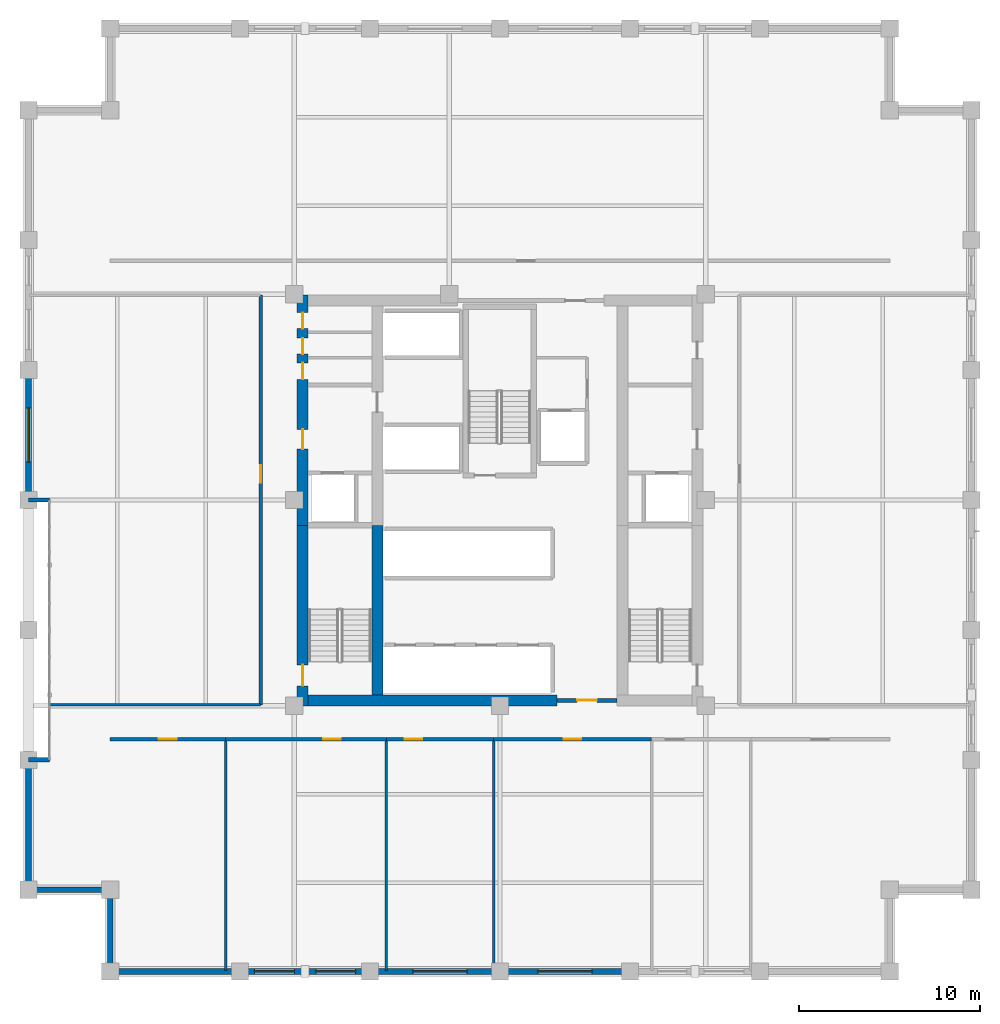
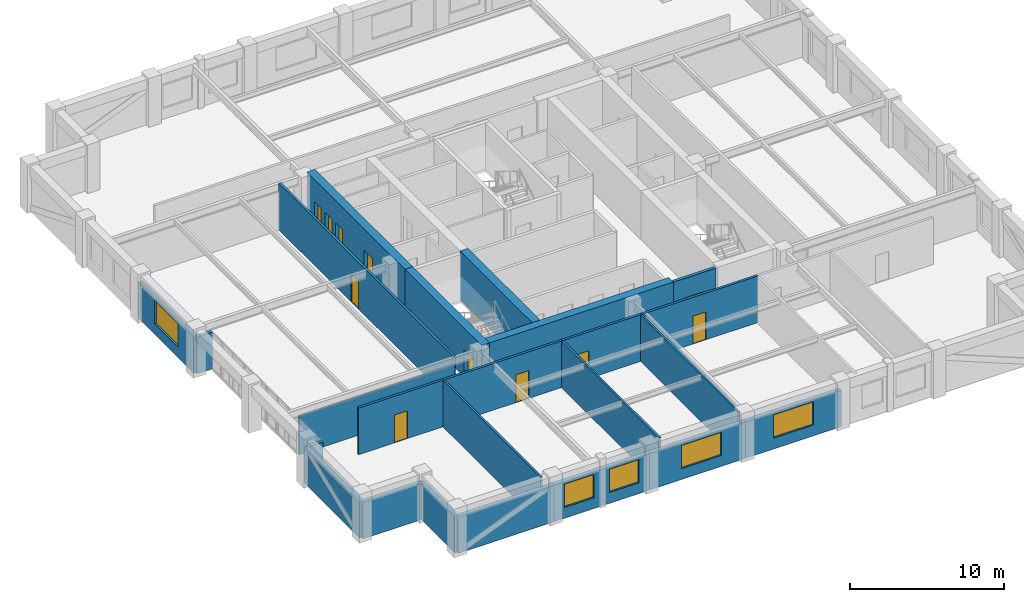
# One storey, part 7 of 12: 24 walls, 11 doors, 5 windows, 16 openings.
"""IFC4 building model written with IfcOpenShell, lengths in metres."""

from ifc_helpers import new_model, si_unit, direction, frame, frame_2d, origin, place, context, subcontext, project, spatial, rectangle, extrude, material, layer, layer_set, type_object, element, fill, save


model = new_model("IFC4")

# Units and contexts
model_context = context("Model", 3, precision=1e-05, world=origin(), true_north=direction((0.0, 1.0)))
body_context = subcontext(model_context, "Body", "Model", "MODEL_VIEW")
ifc_project = project(units=[si_unit("LENGTHUNIT", "METRE"), si_unit("AREAUNIT", "SQUARE_METRE"), si_unit("VOLUMEUNIT", "CUBIC_METRE"), si_unit("PLANEANGLEUNIT", "RADIAN"), si_unit("MASSUNIT", "GRAM", prefix="KILO")], contexts=[model_context])

# Site, building, storey
site_placement = place(None, origin())
site = spatial("IfcSite", under=ifc_project, at=site_placement, CompositionType="ELEMENT")
building_placement = place(site_placement, origin())
building = spatial("IfcBuilding", under=site, at=building_placement, Name="Nhamokura Convention Tower", CompositionType="ELEMENT")
storey_placement = place(building_placement, frame((0.0, 0.0, 164.5)))
storey = spatial("IfcBuildingStorey", under=building, at=storey_placement, Name="L40", CompositionType="ELEMENT", Elevation=164.5)

# Wall
ifc_material_1 = material(Name="Bronze-pigmented precast concrete C45/55", Category="concrete")
ifc_layer_1 = layer(ifc_material_1, 0.320068359375)
ifc_layer_set_1 = layer_set([ifc_layer_1], Name="BronzePrecastSpandrel_320")
wall_type_1 = type_object("IfcWallType", Name="BronzePrecastSpandrel_320", PredefinedType="USERDEFINED", material=ifc_layer_set_1)
wall_1_placement = place(storey_placement, frame((17.666748046875, 6.0, 0.0), z_axis=(0.0, 0.0, 1.0), x_axis=(-1.0, 0.0, 0.0)))
element("IfcWall", 1, at=wall_1_placement, inside=storey, type_object=wall_type_1, Name="L40 Braced-Bay Precast Wall SOUTH 0", ObjectType="SPANDREL_WALL", PredefinedType="USERDEFINED", context=body_context, shape_type="SweptSolid", body=[
    extrude(rectangle(XDim=7.166748046875, YDim=0.320068359375, at=frame_2d((3.58349609375, 0.0))), origin(), (0.0, 0.0, 1.0), 2.885009765625),
])

# Wall, openings, windows
wall_2_placement = place(storey_placement, frame((24.833251953125, 6.0, 0.0), z_axis=(0.0, 0.0, 1.0), x_axis=(-1.0, 0.0, 0.0)))
wall_2 = element("IfcWall", 2, at=wall_2_placement, inside=storey, type_object=wall_type_1, Name="L40 Masonry-Frame Wall SOUTH 1", ObjectType="SPANDREL_WALL", PredefinedType="USERDEFINED", context=body_context, shape_type="SweptSolid", body=[
    extrude(rectangle(XDim=7.16650390625, YDim=0.320068359375, at=frame_2d((3.583251953125, 0.0))), origin(), (0.0, 0.0, 1.0), 2.885009765625),
])
opening_1_placement = place(wall_2_placement, frame((0.791748046875, 0.0, 0.85009765625)))
opening_1 = element("IfcOpeningElement", 3, at=opening_1_placement, cuts=wall_2, Name="Opening W-06", PredefinedType="OPENING", context=body_context, shape_type="SweptSolid", body=[
    extrude(rectangle(XDim=2.199951171875, YDim=1.8349609375, at=frame_2d((1.10009765625, 0.91748046875))), frame((0.0, 0.169921875, 0.0), z_axis=(0.0, -1.0, 0.0), x_axis=(1.0, 0.0, 0.0)), (0.0, 0.0, 1.0), 0.340087890625),
])
opening_2_placement = place(wall_2_placement, frame((4.175048828125, 0.0, 0.85009765625)))
opening_2 = element("IfcOpeningElement", 4, at=opening_2_placement, cuts=wall_2, Name="Opening W-06", PredefinedType="OPENING", context=body_context, shape_type="SweptSolid", body=[
    extrude(rectangle(XDim=2.199951171875, YDim=1.8349609375, at=frame_2d((1.10009765625, 0.91748046875))), frame((0.0, 0.169921875, 0.0), z_axis=(0.0, -1.0, 0.0), x_axis=(1.0, 0.0, 0.0)), (0.0, 0.0, 1.0), 0.340087890625),
])
ifc_material_2 = material(Name="Solar-control bronze low-E double glass", Category="glass")
window_type_1 = type_object("IfcWindowType", Name="OfficeModuleWindow_Z2_2200", PartitioningType="SINGLE_PANEL", PredefinedType="WINDOW", material=ifc_material_2)
window_1_placement = place(opening_1_placement, origin())
window_1 = element("IfcWindow", 5, at=window_1_placement, inside=storey, type_object=window_type_1, Name="L40 Facade Window SOUTH 1-1", OverallHeight=1.8349609375, OverallWidth=2.199951171875, PartitioningType="SINGLE_PANEL", PredefinedType="WINDOW", context=body_context, shape_type="SweptSolid", body=[
    extrude(rectangle(XDim=2.199951171875, YDim=1.8349609375, at=frame_2d((1.10009765625, 0.91748046875))), frame((0.0, 0.030029296875, 0.0), z_axis=(0.0, -1.0, 0.0), x_axis=(1.0, 0.0, 0.0)), (0.0, 0.0, 1.0), 0.06005859375),
])
fill(opening_1, window_1)
window_2_placement = place(opening_2_placement, origin())
window_2 = element("IfcWindow", 6, at=window_2_placement, inside=storey, type_object=window_type_1, Name="L40 Facade Window SOUTH 1-2", OverallHeight=1.8349609375, OverallWidth=2.199951171875, PartitioningType="SINGLE_PANEL", PredefinedType="WINDOW", context=body_context, shape_type="SweptSolid", body=[
    extrude(rectangle(XDim=2.199951171875, YDim=1.8349609375, at=frame_2d((1.10009765625, 0.91748046875))), frame((0.0, 0.030029296875, 0.0), z_axis=(0.0, -1.0, 0.0), x_axis=(1.0, 0.0, 0.0)), (0.0, 0.0, 1.0), 0.06005859375),
])
fill(opening_2, window_2)

# Wall, opening, window
wall_3_placement = place(storey_placement, frame((32.0, 6.0, 0.0), z_axis=(0.0, 0.0, 1.0), x_axis=(-1.0, 0.0, 0.0)))
wall_3 = element("IfcWall", 7, at=wall_3_placement, inside=storey, type_object=wall_type_1, Name="L40 Masonry-Frame Wall SOUTH 2", ObjectType="SPANDREL_WALL", PredefinedType="USERDEFINED", context=body_context, shape_type="SweptSolid", body=[
    extrude(rectangle(XDim=7.166748046875, YDim=0.320068359375, at=frame_2d((3.58349609375, 0.0))), origin(), (0.0, 0.0, 1.0), 2.885009765625),
])
opening_3_placement = place(wall_3_placement, frame((1.808349609375, 0.0, 0.85009765625)))
opening_3 = element("IfcOpeningElement", 8, at=opening_3_placement, cuts=wall_3, Name="Opening W-05", PredefinedType="OPENING", context=body_context, shape_type="SweptSolid", body=[
    extrude(rectangle(XDim=3.0, YDim=1.8349609375, at=frame_2d((1.5, 0.91748046875))), frame((0.0, 0.169921875, 0.0), z_axis=(0.0, -1.0, 0.0), x_axis=(1.0, 0.0, 0.0)), (0.0, 0.0, 1.0), 0.340087890625),
])
ifc_material_3 = material(Name="Solar-control bronze low-E double glass", Category="glass")
window_type_2 = type_object("IfcWindowType", Name="OfficeModuleWindow_Z2_3000", PartitioningType="DOUBLE_PANEL_VERTICAL", PredefinedType="WINDOW", material=ifc_material_3)
window_3_placement = place(opening_3_placement, origin())
window_3 = element("IfcWindow", 9, at=window_3_placement, inside=storey, type_object=window_type_2, Name="L40 Facade Window SOUTH 2", OverallHeight=1.8349609375, OverallWidth=3.0, PartitioningType="SINGLE_PANEL", PredefinedType="WINDOW", context=body_context, shape_type="SweptSolid", body=[
    extrude(rectangle(XDim=3.0, YDim=1.8349609375, at=frame_2d((1.5, 0.91748046875))), frame((0.0, 0.030029296875, 0.0), z_axis=(0.0, -1.0, 0.0), x_axis=(1.0, 0.0, 0.0)), (0.0, 0.0, 1.0), 0.06005859375),
])
fill(opening_3, window_3)

wall_4_placement = place(storey_placement, frame((39.166748046875, 6.0, 0.0), z_axis=(0.0, 0.0, 1.0), x_axis=(-1.0, 0.0, 0.0)))
wall_4 = element("IfcWall", 10, at=wall_4_placement, inside=storey, type_object=wall_type_1, Name="L40 Masonry-Frame Wall SOUTH 3", ObjectType="SPANDREL_WALL", PredefinedType="USERDEFINED", context=body_context, shape_type="SweptSolid", body=[
    extrude(rectangle(XDim=7.166748046875, YDim=0.320068359375, at=frame_2d((3.58349609375, 0.0))), origin(), (0.0, 0.0, 1.0), 2.885009765625),
])
opening_4_placement = place(wall_4_placement, frame((2.083251953125, 0.0, 0.85009765625)))
opening_4 = element("IfcOpeningElement", 11, at=opening_4_placement, cuts=wall_4, Name="Opening W-05", PredefinedType="OPENING", context=body_context, shape_type="SweptSolid", body=[
    extrude(rectangle(XDim=3.0, YDim=1.8349609375, at=frame_2d((1.5, 0.91748046875))), frame((0.0, 0.169921875, 0.0), z_axis=(0.0, -1.0, 0.0), x_axis=(1.0, 0.0, 0.0)), (0.0, 0.0, 1.0), 0.340087890625),
])
window_4_placement = place(opening_4_placement, origin())
window_4 = element("IfcWindow", 12, at=window_4_placement, inside=storey, type_object=window_type_2, Name="L40 Facade Window SOUTH 3", OverallHeight=1.8349609375, OverallWidth=3.0, PartitioningType="SINGLE_PANEL", PredefinedType="WINDOW", context=body_context, shape_type="SweptSolid", body=[
    extrude(rectangle(XDim=3.0, YDim=1.8349609375, at=frame_2d((1.5, 0.91748046875))), frame((0.0, 0.030029296875, 0.0), z_axis=(0.0, -1.0, 0.0), x_axis=(1.0, 0.0, 0.0)), (0.0, 0.0, 1.0), 0.06005859375),
])
fill(opening_4, window_4)

# Walls
for number, where, z_axis, x_axis, name in (
    (13, (6.0, 17.666748046875, 0.0), (0.0, 0.0, 1.0), (1.0, 0.0, 0.0), "L40 Scale Slot Cheek Wall WESTA"),
    (14, (6.0, 32.0, 0.0), (0.0, 0.0, 1.0), (1.0, 0.0, 0.0), "L40 Scale Slot Cheek Wall WESTB"),
):
    element("IfcWall", number, at=place(storey_placement, frame(where, z_axis=z_axis, x_axis=x_axis)), inside=storey, type_object=wall_type_1, Name=name, ObjectType="SPANDREL_WALL", PredefinedType="USERDEFINED", context=body_context, shape_type="SweptSolid", body=[
        extrude(rectangle(XDim=1.14990234375, YDim=0.239990234375, at=frame_2d((0.574951171875, 0.0))), origin(), (0.0, 0.0, 1.0), 2.885009765625),
    ])
wall_5_placement = place(storey_placement, frame((6.0, 10.5, 0.0), z_axis=(0.0, 0.0, 1.0), x_axis=(0.0, 1.0, 0.0)))
element("IfcWall", 15, at=wall_5_placement, inside=storey, type_object=wall_type_1, Name="L40 Braced-Bay Precast Wall WEST 0", ObjectType="SPANDREL_WALL", PredefinedType="USERDEFINED", context=body_context, shape_type="SweptSolid", body=[
    extrude(rectangle(XDim=7.166748046875, YDim=0.320068359375, at=frame_2d((3.58349609375, 0.0))), origin(), (0.0, 0.0, 1.0), 2.885009765625),
])

# Wall, opening, window
wall_6_placement = place(storey_placement, frame((6.0, 32.0, 0.0), z_axis=(0.0, 0.0, 1.0), x_axis=(0.0, 1.0, 0.0)))
wall_6 = element("IfcWall", 16, at=wall_6_placement, inside=storey, type_object=wall_type_1, Name="L40 Masonry-Frame Wall WEST 3", ObjectType="SPANDREL_WALL", PredefinedType="USERDEFINED", context=body_context, shape_type="SweptSolid", body=[
    extrude(rectangle(XDim=7.166748046875, YDim=0.320068359375, at=frame_2d((3.58349609375, 0.0))), origin(), (0.0, 0.0, 1.0), 2.885009765625),
])
opening_5_placement = place(wall_6_placement, frame((2.083251953125, 0.0, 0.85009765625)))
opening_5 = element("IfcOpeningElement", 17, at=opening_5_placement, cuts=wall_6, Name="Opening W-05", PredefinedType="OPENING", context=body_context, shape_type="SweptSolid", body=[
    extrude(rectangle(XDim=3.0, YDim=1.8349609375, at=frame_2d((1.5, 0.91748046875))), frame((0.0, 0.169921875, 0.0), z_axis=(0.0, -1.0, 0.0), x_axis=(1.0, 0.0, 0.0)), (0.0, 0.0, 1.0), 0.340087890625),
])
window_5_placement = place(opening_5_placement, origin())
window_5 = element("IfcWindow", 18, at=window_5_placement, inside=storey, type_object=window_type_2, Name="L40 Facade Window WEST 3", OverallHeight=1.8349609375, OverallWidth=3.0, PartitioningType="SINGLE_PANEL", PredefinedType="WINDOW", context=body_context, shape_type="SweptSolid", body=[
    extrude(rectangle(XDim=3.0, YDim=1.8349609375, at=frame_2d((1.5, 0.91748046875))), frame((0.0, 0.030029296875, 0.0), z_axis=(0.0, -1.0, 0.0), x_axis=(1.0, 0.0, 0.0)), (0.0, 0.0, 1.0), 0.06005859375),
])
fill(opening_5, window_5)

# Walls
for number, where, z_axis, x_axis, name in (
    (19, (10.5, 6.0, 0.0), (0.0, 0.0, 1.0), (0.0, 1.0, 0.0), "L40 Notched Corner Wall SW1"),
    (20, (10.5, 10.5, 0.0), (0.0, 0.0, 1.0), (-1.0, 0.0, 0.0), "L40 Notched Corner Wall SW2"),
):
    element("IfcWall", number, at=place(storey_placement, frame(where, z_axis=z_axis, x_axis=x_axis)), inside=storey, type_object=wall_type_1, Name=name, ObjectType="SPANDREL_WALL", PredefinedType="USERDEFINED", context=body_context, shape_type="SweptSolid", body=[
        extrude(rectangle(XDim=4.5, YDim=0.320068359375, at=frame_2d((2.25, 0.0))), origin(), (0.0, 0.0, 1.0), 2.885009765625),
    ])

# Wall, opening, door
ifc_material_4 = material(Name="Concrete C60/75", Category="concrete")
ifc_layer_2 = layer(ifc_material_4, 0.60009765625)
ifc_layer_set_2 = layer_set([ifc_layer_2], Name="CoreShearWall_600")
wall_type_2 = type_object("IfcWallType", Name="CoreShearWall_600", PredefinedType="SHEAR", material=ifc_layer_set_2)
wall_7_placement = place(storey_placement, frame((21.110107421875, 20.64990234375, 0.0), z_axis=(0.0, 0.0, 1.0), x_axis=(0.0, 1.0, 0.0)))
wall_7 = element("IfcWall", 21, at=wall_7_placement, inside=storey, type_object=wall_type_2, Name="L40 Core Shear Wall CW-WS", PredefinedType="SHEAR", context=body_context, shape_type="SweptSolid", body=[
    extrude(rectangle(XDim=9.9501953125, YDim=0.60009765625, at=frame_2d((4.97509765625, 0.0))), origin(), (0.0, 0.0, 1.0), 3.85009765625),
])
opening_6_placement = place(wall_7_placement, frame((1.10009765625, 0.0, 0.0)))
opening_6 = element("IfcOpeningElement", 22, at=opening_6_placement, cuts=wall_7, Name="Opening D-04", PredefinedType="OPENING", context=body_context, shape_type="SweptSolid", body=[
    extrude(rectangle(XDim=1.14990234375, YDim=2.14990234375, at=frame_2d((0.574951171875, 1.074951171875))), frame((0.0, 0.31005859375, 0.0), z_axis=(0.0, -1.0, 0.0), x_axis=(1.0, 0.0, 0.0)), (0.0, 0.0, 1.0), 0.6201171875),
])
ifc_material_5 = material(Name="Fire-rated steel door", Category="steel")
door_type_1 = type_object("IfcDoorType", Name="StairSmokeDoor_1150", OperationType="NOTDEFINED", PredefinedType="DOOR", material=ifc_material_5)
door_1_placement = place(opening_6_placement, origin())
door_1 = element("IfcDoor", 23, at=door_1_placement, inside=storey, type_object=door_type_1, Name="L40 Core Door INT-L40-D-ST01", OperationType="SINGLE_SWING_LEFT", OverallHeight=2.14990234375, OverallWidth=1.14990234375, PredefinedType="DOOR", context=body_context, shape_type="SweptSolid", body=[
    extrude(rectangle(XDim=1.14990234375, YDim=2.14990234375, at=frame_2d((0.574951171875, 1.074951171875))), frame((0.0, 0.02490234375, 0.0), z_axis=(0.0, -1.0, 0.0), x_axis=(1.0, 0.0, 0.0)), (0.0, 0.0, 1.0), 0.050048828125),
])
fill(opening_6, door_1)

# Wall, openings, doors
wall_8_placement = place(storey_placement, frame((21.110107421875, 30.60009765625, 0.0), z_axis=(0.0, 0.0, 1.0), x_axis=(0.0, 1.0, 0.0)))
wall_8 = element("IfcWall", 24, at=wall_8_placement, inside=storey, type_object=wall_type_2, Name="L40 Core Shear Wall CW-WN", PredefinedType="SHEAR", context=body_context, shape_type="SweptSolid", body=[
    extrude(rectangle(XDim=12.699951171875, YDim=0.60009765625, at=frame_2d((6.35009765625, 0.0))), origin(), (0.0, 0.0, 1.0), 3.85009765625),
])
opening_7_placement = place(wall_8_placement, frame((4.199951171875, 0.0, 0.0)))
opening_7 = element("IfcOpeningElement", 25, at=opening_7_placement, cuts=wall_8, Name="Opening D-05", PredefinedType="OPENING", context=body_context, shape_type="SweptSolid", body=[
    extrude(rectangle(XDim=1.10009765625, YDim=2.14990234375, at=frame_2d((0.550048828125, 1.074951171875))), frame((0.0, 0.31005859375, 0.0), z_axis=(0.0, -1.0, 0.0), x_axis=(1.0, 0.0, 0.0)), (0.0, 0.0, 1.0), 0.6201171875),
])
opening_8_placement = place(wall_8_placement, frame((8.050048828125, 0.0, 0.0)))
opening_8 = element("IfcOpeningElement", 26, at=opening_8_placement, cuts=wall_8, Name="Opening D-10", PredefinedType="OPENING", context=body_context, shape_type="SweptSolid", body=[
    extrude(rectangle(XDim=0.919921875, YDim=2.10009765625, at=frame_2d((0.4599609375, 1.050048828125))), frame((0.0, 0.31005859375, 0.0), z_axis=(0.0, -1.0, 0.0), x_axis=(1.0, 0.0, 0.0)), (0.0, 0.0, 1.0), 0.6201171875),
])
opening_9_placement = place(wall_8_placement, frame((9.449951171875, 0.0, 0.0)))
opening_9 = element("IfcOpeningElement", 27, at=opening_9_placement, cuts=wall_8, Name="Opening D-11", PredefinedType="OPENING", context=body_context, shape_type="SweptSolid", body=[
    extrude(rectangle(XDim=0.8798828125, YDim=2.10009765625, at=frame_2d((0.43994140625, 1.050048828125))), frame((0.0, 0.31005859375, 0.0), z_axis=(0.0, -1.0, 0.0), x_axis=(1.0, 0.0, 0.0)), (0.0, 0.0, 1.0), 0.6201171875),
])
opening_10_placement = place(wall_8_placement, frame((10.85009765625, 0.0, 0.0)))
opening_10 = element("IfcOpeningElement", 28, at=opening_10_placement, cuts=wall_8, Name="Opening D-11", PredefinedType="OPENING", context=body_context, shape_type="SweptSolid", body=[
    extrude(rectangle(XDim=0.8798828125, YDim=2.10009765625, at=frame_2d((0.43994140625, 1.050048828125))), frame((0.0, 0.31005859375, 0.0), z_axis=(0.0, -1.0, 0.0), x_axis=(1.0, 0.0, 0.0)), (0.0, 0.0, 1.0), 0.6201171875),
])
ifc_material_6 = material(Name="Solid oak hardwood", Category="wood")
door_type_2 = type_object("IfcDoorType", Name="AccessibleWCDoor_920", OperationType="NOTDEFINED", PredefinedType="DOOR", material=ifc_material_6)
door_2_placement = place(opening_8_placement, origin())
door_2 = element("IfcDoor", 29, at=door_2_placement, inside=storey, type_object=door_type_2, Name="L40 Core Door INT-L40-D-AWC", OperationType="SINGLE_SWING_LEFT", OverallHeight=2.10009765625, OverallWidth=0.919921875, PredefinedType="DOOR", context=body_context, shape_type="SweptSolid", body=[
    extrude(rectangle(XDim=0.919921875, YDim=2.10009765625, at=frame_2d((0.4599609375, 1.050048828125))), frame((0.0, 0.02490234375, 0.0), z_axis=(0.0, -1.0, 0.0), x_axis=(1.0, 0.0, 0.0)), (0.0, 0.0, 1.0), 0.050048828125),
])
fill(opening_8, door_2)
ifc_material_7 = material(Name="Solid oak hardwood", Category="wood")
door_type_3 = type_object("IfcDoorType", Name="BathroomDoor_880", OperationType="NOTDEFINED", PredefinedType="DOOR", material=ifc_material_7)
door_3_placement = place(opening_9_placement, origin())
door_3 = element("IfcDoor", 30, at=door_3_placement, inside=storey, type_object=door_type_3, Name="L40 Core Door INT-L40-D-CLN", OperationType="SINGLE_SWING_RIGHT", OverallHeight=2.10009765625, OverallWidth=0.8798828125, PredefinedType="DOOR", context=body_context, shape_type="SweptSolid", body=[
    extrude(rectangle(XDim=0.8798828125, YDim=2.10009765625, at=frame_2d((0.43994140625, 1.050048828125))), frame((0.0, 0.02490234375, 0.0), z_axis=(0.0, -1.0, 0.0), x_axis=(1.0, 0.0, 0.0)), (0.0, 0.0, 1.0), 0.050048828125),
])
fill(opening_9, door_3)
door_4_placement = place(opening_10_placement, origin())
door_4 = element("IfcDoor", 31, at=door_4_placement, inside=storey, type_object=door_type_3, Name="L40 Core Door INT-L40-D-PNT", OperationType="SINGLE_SWING_LEFT", OverallHeight=2.10009765625, OverallWidth=0.8798828125, PredefinedType="DOOR", context=body_context, shape_type="SweptSolid", body=[
    extrude(rectangle(XDim=0.8798828125, YDim=2.10009765625, at=frame_2d((0.43994140625, 1.050048828125))), frame((0.0, 0.02490234375, 0.0), z_axis=(0.0, -1.0, 0.0), x_axis=(1.0, 0.0, 0.0)), (0.0, 0.0, 1.0), 0.050048828125),
])
fill(opening_10, door_4)
ifc_material_8 = material(Name="Fire-rated steel door", Category="steel")
door_type_4 = type_object("IfcDoorType", Name="FireLobbyDoor_1100", OperationType="NOTDEFINED", PredefinedType="DOOR", material=ifc_material_8)
door_5_placement = place(opening_7_placement, origin())
door_5 = element("IfcDoor", 32, at=door_5_placement, inside=storey, type_object=door_type_4, Name="L40 Core Door INT-L40-D-FFLW", OperationType="SINGLE_SWING_RIGHT", OverallHeight=2.14990234375, OverallWidth=1.10009765625, PredefinedType="DOOR", context=body_context, shape_type="SweptSolid", body=[
    extrude(rectangle(XDim=1.10009765625, YDim=2.14990234375, at=frame_2d((0.550048828125, 1.074951171875))), frame((0.0, 0.02490234375, 0.0), z_axis=(0.0, -1.0, 0.0), x_axis=(1.0, 0.0, 0.0)), (0.0, 0.0, 1.0), 0.050048828125),
])
fill(opening_7, door_5)

# Walls
wall_9_placement = place(storey_placement, frame((21.409912109375, 20.949951171875, 0.0), z_axis=(0.0, 0.0, 1.0), x_axis=(1.0, 0.0, 0.0)))
element("IfcWall", 33, at=wall_9_placement, inside=storey, type_object=wall_type_2, Name="L40 Core Shear Wall CW-S1", PredefinedType="SHEAR", context=body_context, shape_type="SweptSolid", body=[
    extrude(rectangle(XDim=13.739990234375, YDim=0.60009765625, at=frame_2d((6.8701171875, 0.0))), origin(), (0.0, 0.0, 1.0), 3.85009765625),
])
wall_10_placement = place(storey_placement, frame((25.239990234375, 21.25, 0.0), z_axis=(0.0, 0.0, 1.0), x_axis=(0.0, 1.0, 0.0)))
element("IfcWall", 34, at=wall_10_placement, inside=storey, type_object=wall_type_2, Name="L40 Core Shear Wall CW-IWS", PredefinedType="SHEAR", context=body_context, shape_type="SweptSolid", body=[
    extrude(rectangle(XDim=9.35009765625, YDim=0.60009765625, at=frame_2d((4.675048828125, 0.0))), origin(), (0.0, 0.0, 1.0), 3.85009765625),
])

# Wall, opening, door
ifc_material_9 = material(Name="Fire-rated gypsum and masonry partition", Category="masonry")
ifc_layer_3 = layer(ifc_material_9, 0.179931640625)
ifc_layer_set_3 = layer_set([ifc_layer_3], Name="CorridorRatedWall_180")
wall_type_3 = type_object("IfcWallType", Name="CorridorRatedWall_180", PredefinedType="STANDARD", material=ifc_layer_set_3)
wall_11_placement = place(storey_placement, frame((10.5, 18.800048828125, 0.0), z_axis=(0.0, 0.0, 1.0), x_axis=(1.0, 0.0, 0.0)))
wall_11 = element("IfcWall", 35, at=wall_11_placement, inside=storey, type_object=wall_type_3, Name="L40 Wall INT-L40-CW-S00", PredefinedType="STANDARD", context=body_context, shape_type="SweptSolid", body=[
    extrude(rectangle(XDim=6.36669921875, YDim=0.179931640625, at=frame_2d((3.183349609375, 0.0))), origin(), (0.0, 0.0, 1.0), 3.68505859375),
])
opening_11_placement = place(wall_11_placement, frame((2.683349609375, 0.0, 0.0)))
opening_11 = element("IfcOpeningElement", 36, at=opening_11_placement, cuts=wall_11, Name="Opening D-08", PredefinedType="OPENING", context=body_context, shape_type="SweptSolid", body=[
    extrude(rectangle(XDim=0.97998046875, YDim=2.199951171875, at=frame_2d((0.489990234375, 1.10009765625))), frame((0.0, 0.099853515625, 0.0), z_axis=(0.0, -1.0, 0.0), x_axis=(1.0, 0.0, 0.0)), (0.0, 0.0, 1.0), 0.199951171875),
])
ifc_material_10 = material(Name="Solid oak hardwood", Category="wood")
door_type_5 = type_object("IfcDoorType", Name="OfficeEntryDoor_980", OperationType="NOTDEFINED", PredefinedType="DOOR", material=ifc_material_10)
door_6_placement = place(opening_11_placement, origin())
door_6 = element("IfcDoor", 37, at=door_6_placement, inside=storey, type_object=door_type_5, Name="L40 Broadcast Studio S01 Door", OperationType="SINGLE_SWING_LEFT", OverallHeight=2.199951171875, OverallWidth=0.97998046875, PredefinedType="DOOR", context=body_context, shape_type="SweptSolid", body=[
    extrude(rectangle(XDim=0.97998046875, YDim=2.199951171875, at=frame_2d((0.489990234375, 1.10009765625))), frame((0.0, 0.02490234375, 0.0), z_axis=(0.0, -1.0, 0.0), x_axis=(1.0, 0.0, 0.0)), (0.0, 0.0, 1.0), 0.050048828125),
])
fill(opening_11, door_6)

wall_12_placement = place(storey_placement, frame((16.86669921875, 18.800048828125, 0.0), z_axis=(0.0, 0.0, 1.0), x_axis=(1.0, 0.0, 0.0)))
wall_12 = element("IfcWall", 38, at=wall_12_placement, inside=storey, type_object=wall_type_3, Name="L40 Wall INT-L40-CW-S01", PredefinedType="STANDARD", context=body_context, shape_type="SweptSolid", body=[
    extrude(rectangle(XDim=8.86669921875, YDim=0.179931640625, at=frame_2d((4.433349609375, 0.0))), origin(), (0.0, 0.0, 1.0), 3.68505859375),
])
opening_12_placement = place(wall_12_placement, frame((5.38330078125, 0.0, 0.0)))
opening_12 = element("IfcOpeningElement", 39, at=opening_12_placement, cuts=wall_12, Name="Opening D-08", PredefinedType="OPENING", context=body_context, shape_type="SweptSolid", body=[
    extrude(rectangle(XDim=0.97998046875, YDim=2.199951171875, at=frame_2d((0.489990234375, 1.10009765625))), frame((0.0, 0.099853515625, 0.0), z_axis=(0.0, -1.0, 0.0), x_axis=(1.0, 0.0, 0.0)), (0.0, 0.0, 1.0), 0.199951171875),
])
door_7_placement = place(opening_12_placement, origin())
door_7 = element("IfcDoor", 40, at=door_7_placement, inside=storey, type_object=door_type_5, Name="L40 Newsroom Office S02 Door", OperationType="SINGLE_SWING_RIGHT", OverallHeight=2.199951171875, OverallWidth=0.97998046875, PredefinedType="DOOR", context=body_context, shape_type="SweptSolid", body=[
    extrude(rectangle(XDim=0.97998046875, YDim=2.199951171875, at=frame_2d((0.489990234375, 1.10009765625))), frame((0.0, 0.02490234375, 0.0), z_axis=(0.0, -1.0, 0.0), x_axis=(1.0, 0.0, 0.0)), (0.0, 0.0, 1.0), 0.050048828125),
])
fill(opening_12, door_7)

wall_13_placement = place(storey_placement, frame((25.7333984375, 18.800048828125, 0.0), z_axis=(0.0, 0.0, 1.0), x_axis=(1.0, 0.0, 0.0)))
wall_13 = element("IfcWall", 41, at=wall_13_placement, inside=storey, type_object=wall_type_3, Name="L40 Wall INT-L40-CW-S02", PredefinedType="STANDARD", context=body_context, shape_type="SweptSolid", body=[
    extrude(rectangle(XDim=5.91650390625, YDim=0.179931640625, at=frame_2d((2.958251953125, 0.0))), origin(), (0.0, 0.0, 1.0), 3.68505859375),
])
opening_13_placement = place(wall_13_placement, frame((1.00830078125, 0.0, 0.0)))
opening_13 = element("IfcOpeningElement", 42, at=opening_13_placement, cuts=wall_13, Name="Opening D-08", PredefinedType="OPENING", context=body_context, shape_type="SweptSolid", body=[
    extrude(rectangle(XDim=0.97998046875, YDim=2.199951171875, at=frame_2d((0.489990234375, 1.10009765625))), frame((0.0, 0.099853515625, 0.0), z_axis=(0.0, -1.0, 0.0), x_axis=(1.0, 0.0, 0.0)), (0.0, 0.0, 1.0), 0.199951171875),
])
door_8_placement = place(opening_13_placement, origin())
door_8 = element("IfcDoor", 43, at=door_8_placement, inside=storey, type_object=door_type_5, Name="L40 Green Room Lounge S03 Door", OperationType="SINGLE_SWING_LEFT", OverallHeight=2.199951171875, OverallWidth=0.97998046875, PredefinedType="DOOR", context=body_context, shape_type="SweptSolid", body=[
    extrude(rectangle(XDim=0.97998046875, YDim=2.199951171875, at=frame_2d((0.489990234375, 1.10009765625))), frame((0.0, 0.02490234375, 0.0), z_axis=(0.0, -1.0, 0.0), x_axis=(1.0, 0.0, 0.0)), (0.0, 0.0, 1.0), 0.050048828125),
])
fill(opening_13, door_8)

wall_14_placement = place(storey_placement, frame((31.64990234375, 18.800048828125, 0.0), z_axis=(0.0, 0.0, 1.0), x_axis=(1.0, 0.0, 0.0)))
wall_14 = element("IfcWall", 44, at=wall_14_placement, inside=storey, type_object=wall_type_3, Name="L40 Wall INT-L40-CW-S03", PredefinedType="STANDARD", context=body_context, shape_type="SweptSolid", body=[
    extrude(rectangle(XDim=8.716796875, YDim=0.179931640625, at=frame_2d((4.3583984375, 0.0))), origin(), (0.0, 0.0, 1.0), 3.68505859375),
])
opening_14_placement = place(wall_14_placement, frame((3.8583984375, 0.0, 0.0)))
opening_14 = element("IfcOpeningElement", 45, at=opening_14_placement, cuts=wall_14, Name="Opening D-08", PredefinedType="OPENING", context=body_context, shape_type="SweptSolid", body=[
    extrude(rectangle(XDim=0.97998046875, YDim=2.199951171875, at=frame_2d((0.489990234375, 1.10009765625))), frame((0.0, 0.099853515625, 0.0), z_axis=(0.0, -1.0, 0.0), x_axis=(1.0, 0.0, 0.0)), (0.0, 0.0, 1.0), 0.199951171875),
])
door_9_placement = place(opening_14_placement, origin())
door_9 = element("IfcDoor", 46, at=door_9_placement, inside=storey, type_object=door_type_5, Name="L40 Broadcast Studio S04 Door", OperationType="SINGLE_SWING_RIGHT", OverallHeight=2.199951171875, OverallWidth=0.97998046875, PredefinedType="DOOR", context=body_context, shape_type="SweptSolid", body=[
    extrude(rectangle(XDim=0.97998046875, YDim=2.199951171875, at=frame_2d((0.489990234375, 1.10009765625))), frame((0.0, 0.02490234375, 0.0), z_axis=(0.0, -1.0, 0.0), x_axis=(1.0, 0.0, 0.0)), (0.0, 0.0, 1.0), 0.050048828125),
])
fill(opening_14, door_9)

wall_15_placement = place(storey_placement, frame((18.800048828125, 20.699951171875, 0.0), z_axis=(0.0, 0.0, 1.0), x_axis=(0.0, 1.0, 0.0)))
wall_15 = element("IfcWall", 47, at=wall_15_placement, inside=storey, type_object=wall_type_3, Name="L40 Wall INT-L40-CW-W00", PredefinedType="STANDARD", context=body_context, shape_type="SweptSolid", body=[
    extrude(rectangle(XDim=22.60009765625, YDim=0.179931640625, at=frame_2d((11.300048828125, 0.0))), origin(), (0.0, 0.0, 1.0), 3.68505859375),
])
opening_15_placement = place(wall_15_placement, frame((12.25, 0.0, 0.0)))
opening_15 = element("IfcOpeningElement", 48, at=opening_15_placement, cuts=wall_15, Name="Opening D-08", PredefinedType="OPENING", context=body_context, shape_type="SweptSolid", body=[
    extrude(rectangle(XDim=0.97998046875, YDim=2.199951171875, at=frame_2d((0.489990234375, 1.10009765625))), frame((0.0, 0.099853515625, 0.0), z_axis=(0.0, -1.0, 0.0), x_axis=(1.0, 0.0, 0.0)), (0.0, 0.0, 1.0), 0.199951171875),
])
door_10_placement = place(opening_15_placement, origin())
door_10 = element("IfcDoor", 49, at=door_10_placement, inside=storey, type_object=door_type_5, Name="L40 Private Office W01 Door", OperationType="SINGLE_SWING_LEFT", OverallHeight=2.199951171875, OverallWidth=0.97998046875, PredefinedType="DOOR", context=body_context, shape_type="SweptSolid", body=[
    extrude(rectangle(XDim=0.97998046875, YDim=2.199951171875, at=frame_2d((0.489990234375, 1.10009765625))), frame((0.0, 0.02490234375, 0.0), z_axis=(0.0, -1.0, 0.0), x_axis=(1.0, 0.0, 0.0)), (0.0, 0.0, 1.0), 0.050048828125),
])
fill(opening_15, door_10)

ifc_material_11 = material(Name="Autoclaved concrete blockwork", Category="masonry")
ifc_layer_4 = layer(ifc_material_11, 0.219970703125)
ifc_layer_set_4 = layer_set([ifc_layer_4], Name="FireLobbyWall_220")
wall_type_4 = type_object("IfcWallType", Name="FireLobbyWall_220", PredefinedType="STANDARD", material=ifc_layer_set_4)
wall_16_placement = place(storey_placement, frame((35.14990234375, 20.949951171875, 0.0), z_axis=(0.0, 0.0, 1.0), x_axis=(1.0, 0.0, 0.0)))
wall_16 = element("IfcWall", 50, at=wall_16_placement, inside=storey, type_object=wall_type_4, Name="L40 Wall INT-L40-SPORT-S", PredefinedType="STANDARD", context=body_context, shape_type="SweptSolid", body=[
    extrude(rectangle(XDim=3.300048828125, YDim=0.219970703125, at=frame_2d((1.64990234375, 0.0))), origin(), (0.0, 0.0, 1.0), 3.68505859375),
])
opening_16_placement = place(wall_16_placement, frame((1.10009765625, 0.0, 0.0)))
opening_16 = element("IfcOpeningElement", 51, at=opening_16_placement, cuts=wall_16, Name="Opening D-05", PredefinedType="OPENING", context=body_context, shape_type="SweptSolid", body=[
    extrude(rectangle(XDim=1.10009765625, YDim=2.14990234375, at=frame_2d((0.550048828125, 1.074951171875))), frame((0.0, 0.119873046875, 0.0), z_axis=(0.0, -1.0, 0.0), x_axis=(1.0, 0.0, 0.0)), (0.0, 0.0, 1.0), 0.239990234375),
])
door_11_placement = place(opening_16_placement, origin())
door_11 = element("IfcDoor", 52, at=door_11_placement, inside=storey, type_object=door_type_4, Name="L40 South Core Lobby Portal Door", OperationType="SINGLE_SWING_LEFT", OverallHeight=2.14990234375, OverallWidth=1.10009765625, PredefinedType="DOOR", context=body_context, shape_type="SweptSolid", body=[
    extrude(rectangle(XDim=1.10009765625, YDim=2.14990234375, at=frame_2d((0.550048828125, 1.074951171875))), frame((0.0, 0.02490234375, 0.0), z_axis=(0.0, -1.0, 0.0), x_axis=(1.0, 0.0, 0.0)), (0.0, 0.0, 1.0), 0.050048828125),
])
fill(opening_16, door_11)

# Walls
ifc_material_12 = material(Name="Acoustic gypsum stud partition", Category="masonry")
ifc_layer_5 = layer(ifc_material_12, 0.14990234375)
ifc_layer_set_5 = layer_set([ifc_layer_5], Name="InteriorPartition_150")
wall_type_5 = type_object("IfcWallType", Name="InteriorPartition_150", PredefinedType="STANDARD", material=ifc_layer_set_5)
for number, where, z_axis, x_axis, name in (
    (53, (16.86669921875, 6.06005859375, 0.0), (0.0, 0.0, 1.0), (0.0, 1.0, 0.0), "L40 Wall INT-L40-RW-S01"),
    (54, (25.7333984375, 6.06005859375, 0.0), (0.0, 0.0, 1.0), (0.0, 1.0, 0.0), "L40 Wall INT-L40-RW-S02"),
    (55, (31.64990234375, 6.06005859375, 0.0), (0.0, 0.0, 1.0), (0.0, 1.0, 0.0), "L40 Wall INT-L40-RW-S03"),
):
    element("IfcWall", number, at=place(storey_placement, frame(where, z_axis=z_axis, x_axis=x_axis)), inside=storey, type_object=wall_type_5, Name=name, PredefinedType="STANDARD", context=body_context, shape_type="SweptSolid", body=[
        extrude(rectangle(XDim=12.739990234375, YDim=0.14990234375, at=frame_2d((6.3701171875, 0.0))), origin(), (0.0, 0.0, 1.0), 3.68505859375),
    ])
wall_17_placement = place(storey_placement, frame((7.159912109375, 20.699951171875, 0.0), z_axis=(0.0, 0.0, 1.0), x_axis=(1.0, 0.0, 0.0)))
element("IfcWall", 56, at=wall_17_placement, inside=storey, type_object=wall_type_5, Name="L40 Wall INT-L40-RWB-W", PredefinedType="STANDARD", context=body_context, shape_type="SweptSolid", body=[
    extrude(rectangle(XDim=11.64013671875, YDim=0.14990234375, at=frame_2d((5.820068359375, 0.0))), origin(), (0.0, 0.0, 1.0), 3.055908203125),
])

save(model, "model.ifc")
